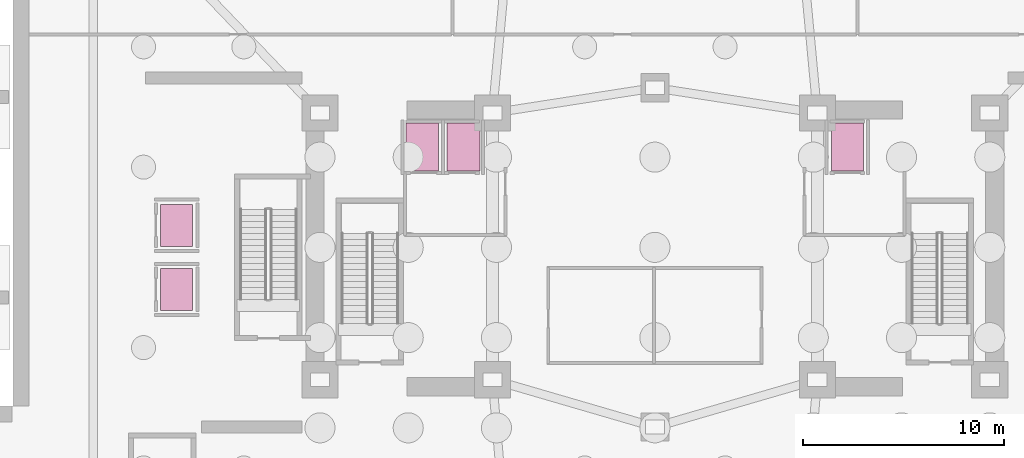
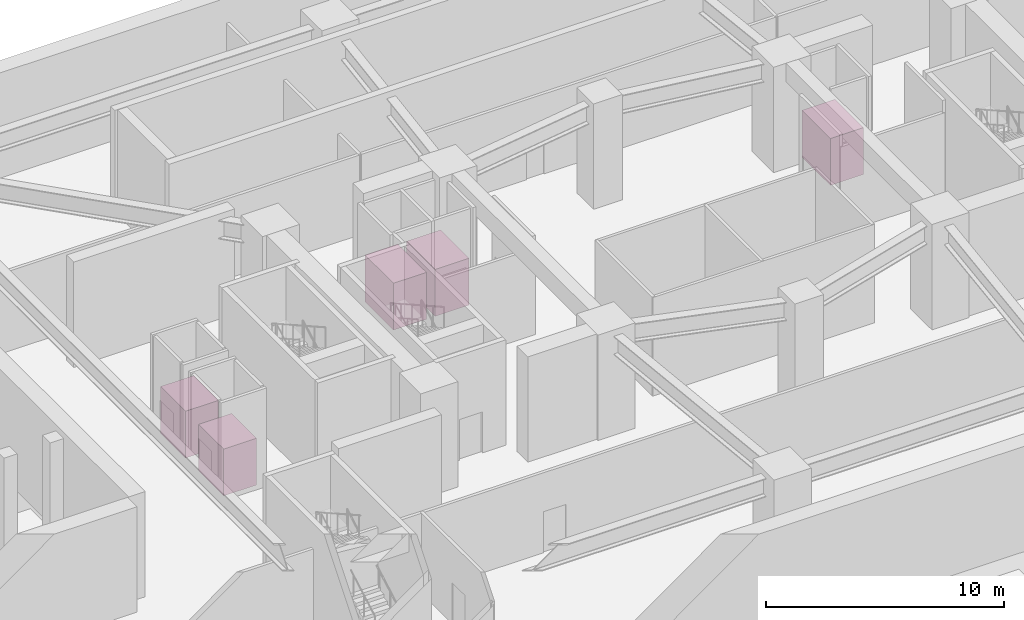
# One storey, part 9 of 9: 5 transport elements.
"""IFC4 building model written with IfcOpenShell, lengths in metres."""

from ifc_helpers import new_model, si_unit, direction, frame, origin, origin_2d, place, context, subcontext, project, spatial, rectangle, extrude, material, type_object, element, save


model = new_model("IFC4")

# Units and contexts
model_context = context("Model", 3, precision=1e-05, world=origin(), true_north=direction((0.0, 1.0)))
body_context = subcontext(model_context, "Body", "Model", "MODEL_VIEW")
ifc_project = project(units=[si_unit("LENGTHUNIT", "METRE"), si_unit("AREAUNIT", "SQUARE_METRE"), si_unit("VOLUMEUNIT", "CUBIC_METRE"), si_unit("PLANEANGLEUNIT", "RADIAN"), si_unit("MASSUNIT", "GRAM", prefix="KILO")], contexts=[model_context])

# Site, building, storey
site_placement = place(None, origin())
site = spatial("IfcSite", under=ifc_project, at=site_placement, CompositionType="ELEMENT")
building_placement = place(site_placement, origin())
building = spatial("IfcBuilding", under=site, at=building_placement, Name="Solvane Sanctuary Tower", CompositionType="ELEMENT")
storey_placement = place(building_placement, frame((0.0, 0.0, -10.800048828125)))
storey = spatial("IfcBuildingStorey", under=building, at=storey_placement, Name="B02", CompositionType="ELEMENT", Elevation=-10.800048828125)

# Transport elements
ifc_material = material(Name="Architectural Stainless Steel 316", Category="steel")
transport_element_type_1 = type_object("IfcTransportElementType", Name="Lift Car LF-FFL", PredefinedType="ELEVATOR", material=ifc_material)
for number, where, z_axis, x_axis, name in (
    (1, (20.39990234375, 28.5, 0.0), (0.0, 0.0, 1.0), (1.0, 0.0, 0.0), "Elevator FFL-1"),
    (2, (41.60009765625, 28.5, 0.0), (0.0, 0.0, 1.0), (1.0, 0.0, 0.0), "Elevator FFL-2"),
):
    element("IfcTransportElement", number, at=place(storey_placement, frame(where, z_axis=z_axis, x_axis=x_axis)), inside=storey, type_object=transport_element_type_1, Name=name, PredefinedType="ELEVATOR", context=body_context, shape_type="SweptSolid", body=[
        extrude(rectangle(XDim=1.60009765625, YDim=2.39990234375, at=origin_2d()), origin(), (0.0, 0.0, 1.0), 2.39990234375),
    ])
transport_element_type_2 = type_object("IfcTransportElementType", Name="Lift Car LF-METRO", PredefinedType="ELEVATOR", material=ifc_material)
for number, where, z_axis, x_axis, name in (
    (3, (8.14990234375, 21.39990234375, 0.0), (0.0, 0.0, 1.0), (1.0, 0.0, 0.0), "Elevator ML-1"),
    (4, (8.14990234375, 24.60009765625, 0.0), (0.0, 0.0, 1.0), (1.0, 0.0, 0.0), "Elevator ML-2"),
):
    element("IfcTransportElement", number, at=place(storey_placement, frame(where, z_axis=z_axis, x_axis=x_axis)), inside=storey, type_object=transport_element_type_2, Name=name, PredefinedType="ELEVATOR", context=body_context, shape_type="SweptSolid", body=[
        extrude(rectangle(XDim=1.60009765625, YDim=2.10009765625, at=origin_2d()), origin(), (0.0, 0.0, 1.0), 2.39990234375),
    ])
transport_element_type_3 = type_object("IfcTransportElementType", Name="Lift Car LF-SVC", PredefinedType="ELEVATOR", material=ifc_material)
transport_element_placement = place(storey_placement, frame((22.449951171875, 28.5, 0.0), z_axis=(0.0, 0.0, 1.0), x_axis=(1.0, 0.0, 0.0)))
element("IfcTransportElement", 5, at=transport_element_placement, inside=storey, type_object=transport_element_type_3, Name="Elevator SVL-1", PredefinedType="ELEVATOR", context=body_context, shape_type="SweptSolid", body=[
    extrude(rectangle(XDim=1.64990234375, YDim=2.39990234375, at=origin_2d()), origin(), (0.0, 0.0, 1.0), 2.39990234375),
])

save(model, "model.ifc")
